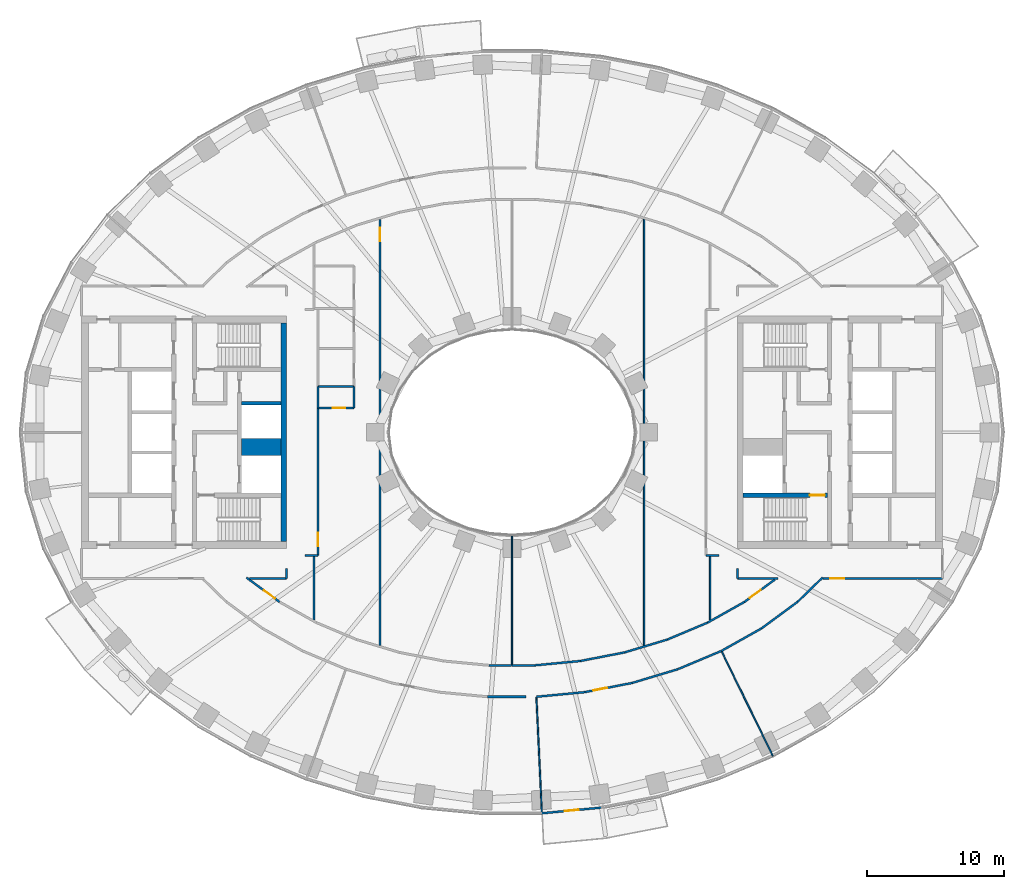
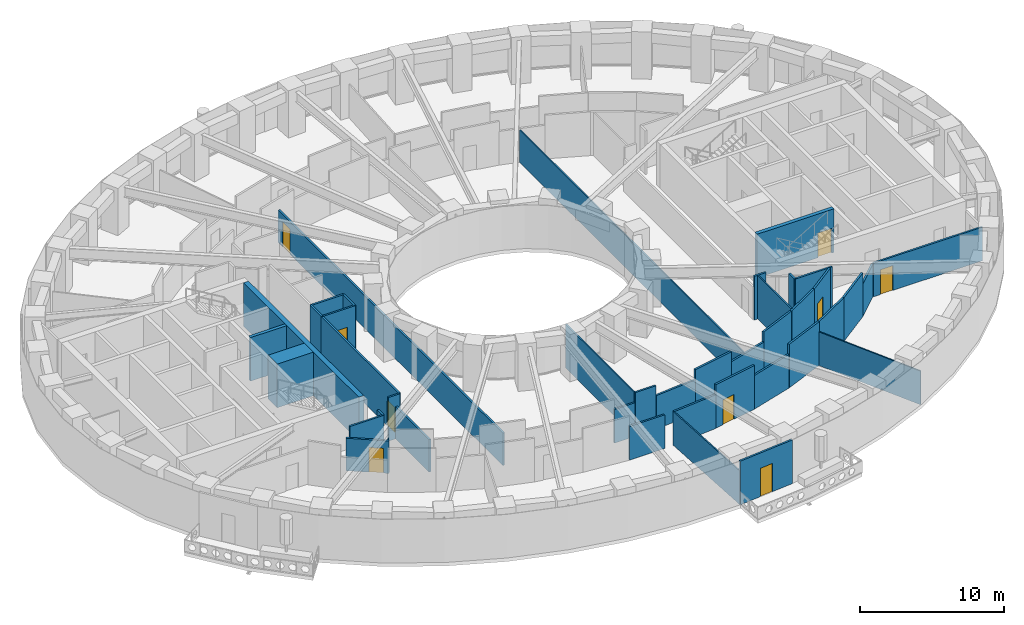
# One storey, part 4 of 16: 41 walls, 9 doors, 9 openings.
"""IFC4 building model written with IfcOpenShell, lengths in metres."""

from ifc_helpers import new_model, si_unit, direction, frame, frame_2d, origin, place, context, subcontext, project, spatial, rectangle, extrude, material, layer, layer_set, type_object, element, fill, save


model = new_model("IFC4")

# Units and contexts
model_context = context("Model", 3, precision=1e-05, world=origin(), true_north=direction((0.0, 1.0)))
body_context = subcontext(model_context, "Body", "Model", "MODEL_VIEW")
ifc_project = project(units=[si_unit("LENGTHUNIT", "METRE"), si_unit("AREAUNIT", "SQUARE_METRE"), si_unit("VOLUMEUNIT", "CUBIC_METRE"), si_unit("PLANEANGLEUNIT", "RADIAN"), si_unit("MASSUNIT", "GRAM", prefix="KILO")], contexts=[model_context])

# Site, building, storey
site_placement = place(None, origin())
site = spatial("IfcSite", under=ifc_project, at=site_placement, CompositionType="ELEMENT")
building_placement = place(site_placement, origin())
building = spatial("IfcBuilding", under=site, at=building_placement, Name="Noorbagh Ring Tower", CompositionType="ELEMENT")
storey_placement = place(building_placement, frame((0.0, 0.0, 78.5)))
storey = spatial("IfcBuildingStorey", under=building, at=storey_placement, Name="L17", CompositionType="ELEMENT", Elevation=78.5)

# Wall
ifc_material_1 = material(Name="Gypsum board on steel studs", Category="steel")
ifc_layer_1 = layer(ifc_material_1, 0.14990234375)
ifc_layer_set_1 = layer_set([ifc_layer_1], Name="Gypsum board on steel studs")
wall_type_1 = type_object("IfcWallType", Name="COMPARTMENT PARTITION 150 EI 60", PredefinedType="PARTITIONING", material=ifc_layer_set_1)
wall_1_placement = place(storey_placement, frame((-14.199951171875, 1.781982421875, 0.0), z_axis=(0.0, 0.0, 1.0), x_axis=(0.0, 1.0, 0.0)))
element("IfcWall", 1, at=wall_1_placement, inside=storey, type_object=wall_type_1, Name="L17/wall/P34", PredefinedType="PARTITIONING", context=body_context, shape_type="SweptSolid", body=[
    extrude(rectangle(XDim=1.56005859375, YDim=0.14990234375, at=frame_2d((0.780029296875, 0.0))), origin(), (0.0, 0.0, 1.0), 3.699951171875),
])

# Wall, opening, door
wall_2_placement = place(storey_placement, frame((-14.199951171875, 1.781982421875, 0.0), z_axis=(0.0, 0.0, 1.0), x_axis=(1.0, 0.0, 0.0)))
wall_2 = element("IfcWall", 2, at=wall_2_placement, inside=storey, type_object=wall_type_1, Name="L17/wall/P35", PredefinedType="PARTITIONING", context=body_context, shape_type="SweptSolid", body=[
    extrude(rectangle(XDim=2.635009765625, YDim=0.14990234375, at=frame_2d((1.3173828125, 0.0))), origin(), (0.0, 0.0, 1.0), 3.699951171875),
])
opening_1_placement = place(wall_2_placement, frame((1.0849609375, 0.0, 0.0)))
opening_1 = element("IfcOpeningElement", 3, at=opening_1_placement, cuts=wall_2, Name="Opening D4", PredefinedType="OPENING", context=body_context, shape_type="SweptSolid", body=[
    extrude(rectangle(XDim=0.89990234375, YDim=2.10009765625, at=frame_2d((0.449951171875, 1.050048828125))), frame((0.0, 0.0849609375, 0.0), z_axis=(0.0, -1.0, 0.0), x_axis=(1.0, 0.0, 0.0)), (0.0, 0.0, 1.0), 0.169921875),
])
ifc_material_2 = material(Name="Timber, painted", Category="wood")
door_type_1 = type_object("IfcDoorType", Name="DOOR 900 X 2100 FD60", OperationType="SINGLE_SWING_LEFT", PredefinedType="DOOR", material=ifc_material_2)
door_1_placement = place(opening_1_placement, origin())
door_1 = element("IfcDoor", 4, at=door_1_placement, inside=storey, type_object=door_type_1, Name="L17-D05", OperationType="SINGLE_SWING_LEFT", OverallHeight=2.10009765625, OverallWidth=0.89990234375, PredefinedType="DOOR", context=body_context, shape_type="SweptSolid", body=[
    extrude(rectangle(XDim=0.89990234375, YDim=2.10009765625, at=frame_2d((0.449951171875, 1.050048828125))), frame((0.0, 0.02490234375, 0.0), z_axis=(0.0, -1.0, 0.0), x_axis=(1.0, 0.0, 0.0)), (0.0, 0.0, 1.0), 0.050048828125),
])
fill(opening_1, door_1)

# Walls
wall_3_placement = place(storey_placement, frame((-14.199951171875, 3.342041015625, 0.0), z_axis=(0.0, 0.0, 1.0), x_axis=(1.0, 0.0, 0.0)))
element("IfcWall", 5, at=wall_3_placement, inside=storey, type_object=wall_type_1, Name="L17/wall/P37", PredefinedType="PARTITIONING", context=body_context, shape_type="SweptSolid", body=[
    extrude(rectangle(XDim=2.635009765625, YDim=0.14990234375, at=frame_2d((1.3173828125, 0.0))), origin(), (0.0, 0.0, 1.0), 3.699951171875),
])
wall_4_placement = place(storey_placement, frame((-11.56494140625, 1.781982421875, 0.0), z_axis=(0.0, 0.0, 1.0), x_axis=(0.0, 1.0, 0.0)))
element("IfcWall", 6, at=wall_4_placement, inside=storey, type_object=wall_type_1, Name="L17/wall/P41", PredefinedType="PARTITIONING", context=body_context, shape_type="SweptSolid", body=[
    extrude(rectangle(XDim=1.56005859375, YDim=0.14990234375, at=frame_2d((0.780029296875, 0.0))), origin(), (0.0, 0.0, 1.0), 3.699951171875),
])
ifc_material_3 = material(Name="Concrete C70/85", Category="concrete")
ifc_layer_2 = layer(ifc_material_3, 1.25)
ifc_layer_set_2 = layer_set([ifc_layer_2], Name="Concrete C70/85")
wall_type_2 = type_object("IfcWallType", Name="CORE-WALL-1250-C70-85-EI120", PredefinedType="SHEAR", material=ifc_layer_set_2)
wall_5_placement = place(storey_placement, frame((-16.89990234375, -1.074951171875, 0.0), z_axis=(0.0, 0.0, 1.0), x_axis=(-1.0, 0.0, 0.0)))
element("IfcWall", 7, at=wall_5_placement, inside=storey, type_object=wall_type_2, Name="Core wall W", PredefinedType="SHEAR", context=body_context, shape_type="SweptSolid", body=[
    extrude(rectangle(XDim=2.900146484375, YDim=1.25, at=frame_2d((1.4501953125, 0.0))), origin(), (0.0, 0.0, 1.0), 3.699951171875),
])
ifc_material_4 = material(Name="Concrete C70/85", Category="concrete")
ifc_layer_3 = layer(ifc_material_4, 0.25)
ifc_layer_set_3 = layer_set([ifc_layer_3], Name="Concrete C70/85")
wall_type_3 = type_object("IfcWallType", Name="CORE-WALL-250-C70-85-EI120", PredefinedType="SHEAR", material=ifc_layer_set_3)
wall_6_placement = place(storey_placement, frame((-16.89990234375, 2.125, 0.0), z_axis=(0.0, 0.0, 1.0), x_axis=(-1.0, 0.0, 0.0)))
element("IfcWall", 8, at=wall_6_placement, inside=storey, type_object=wall_type_3, Name="Core wall W", PredefinedType="SHEAR", context=body_context, shape_type="SweptSolid", body=[
    extrude(rectangle(XDim=2.900146484375, YDim=0.25, at=frame_2d((1.4501953125, 0.0))), origin(), (0.0, 0.0, 1.0), 3.699951171875),
])

# Wall, opening, door
ifc_material_5 = material(Name="Concrete C70/85", Category="concrete")
ifc_layer_4 = layer(ifc_material_5, 0.300048828125)
ifc_layer_set_4 = layer_set([ifc_layer_4], Name="Concrete C70/85")
wall_type_4 = type_object("IfcWallType", Name="CORE-WALL-300-C70-85-EI240", PredefinedType="SHEAR", material=ifc_layer_set_4)
wall_7_placement = place(storey_placement, frame((16.89990234375, -4.60009765625, 0.0), z_axis=(0.0, 0.0, 1.0), x_axis=(1.0, 0.0, 0.0)))
wall_7 = element("IfcWall", 9, at=wall_7_placement, inside=storey, type_object=wall_type_4, Name="Core wall E", PredefinedType="SHEAR", context=body_context, shape_type="SweptSolid", body=[
    extrude(rectangle(XDim=6.18017578125, YDim=0.300048828125, at=frame_2d((3.090087890625, 0.0))), origin(), (0.0, 0.0, 1.0), 3.699951171875),
])
opening_2_placement = place(wall_7_placement, frame((4.89990234375, 0.0, 0.0)))
opening_2 = element("IfcOpeningElement", 10, at=opening_2_placement, cuts=wall_7, Name="Opening L17-CE06", PredefinedType="OPENING", context=body_context, shape_type="SweptSolid", body=[
    extrude(rectangle(XDim=1.10009765625, YDim=2.10009765625, at=frame_2d((0.550048828125, 1.050048828125))), frame((0.0, 0.16015625, 0.0), z_axis=(0.0, -1.0, 0.0), x_axis=(1.0, 0.0, 0.0)), (0.0, 0.0, 1.0), 0.320068359375),
])
ifc_material_6 = material(Name="Steel door leaf", Category="steel")
door_type_2 = type_object("IfcDoorType", Name="CORE-DOOR-DSTAIR", OperationType="SINGLE_SWING_LEFT", PredefinedType="DOOR", material=ifc_material_6)
door_2_placement = place(opening_2_placement, origin())
door_2 = element("IfcDoor", 11, at=door_2_placement, inside=storey, type_object=door_type_2, Name="Stair door ST4 L17-CE06", OperationType="SINGLE_SWING_RIGHT", OverallHeight=2.10009765625, OverallWidth=1.10009765625, PredefinedType="DOOR", context=body_context, shape_type="SweptSolid", body=[
    extrude(rectangle(XDim=1.10009765625, YDim=2.10009765625, at=frame_2d((0.550048828125, 1.050048828125))), frame((0.0, 0.02490234375, 0.0), z_axis=(0.0, -1.0, 0.0), x_axis=(1.0, 0.0, 0.0)), (0.0, 0.0, 1.0), 0.050048828125),
])
fill(opening_2, door_2)

# Wall
ifc_material_7 = material(Name="Concrete C70/85", Category="concrete")
ifc_layer_5 = layer(ifc_material_7, 0.39990234375)
ifc_layer_set_5 = layer_set([ifc_layer_5], Name="Concrete C70/85")
wall_type_5 = type_object("IfcWallType", Name="CORE-WALL-400-C70-85-EI240", PredefinedType="SHEAR", material=ifc_layer_set_5)
wall_8_placement = place(storey_placement, frame((-16.699951171875, -8.0, 0.0), z_axis=(0.0, 0.0, 1.0), x_axis=(0.0, 1.0, 0.0)))
element("IfcWall", 12, at=wall_8_placement, inside=storey, type_object=wall_type_5, Name="Core wall W", PredefinedType="SHEAR", context=body_context, shape_type="SweptSolid", body=[
    extrude(rectangle(XDim=16.0, YDim=0.39990234375, at=frame_2d((8.0, 0.0))), origin(), (0.0, 0.0, 1.0), 3.699951171875),
])

# Wall, opening, door
ifc_material_8 = material(Name="Gypsum board on steel studs", Category="steel")
ifc_layer_6 = layer(ifc_material_8, 0.14990234375)
ifc_layer_set_6 = layer_set([ifc_layer_6], Name="Gypsum board on steel studs")
wall_type_6 = type_object("IfcWallType", Name="CORRIDOR PARTITION 150 EI 30", PredefinedType="PARTITIONING", material=ifc_layer_set_6)
wall_9_placement = place(storey_placement, frame((-19.431884765625, -10.625, 0.0), z_axis=(0.0, 0.0, 1.0), x_axis=(0.805306738654, -0.592858378265, 0.0)))
wall_9 = element("IfcWall", 13, at=wall_9_placement, inside=storey, type_object=wall_type_6, Name="L17/wall/P11", PredefinedType="PARTITIONING", context=body_context, shape_type="SweptSolid", body=[
    extrude(rectangle(XDim=3.00732421875, YDim=0.14990234375, at=frame_2d((1.503662109375, 0.0))), origin(), (0.0, 0.0, 1.0), 2.75),
])
opening_3_placement = place(wall_9_placement, frame((1.607421875, 0.0, 0.0)))
opening_3 = element("IfcOpeningElement", 14, at=opening_3_placement, cuts=wall_9, Name="Opening D1", PredefinedType="OPENING", context=body_context, shape_type="SweptSolid", body=[
    extrude(rectangle(XDim=1.0, YDim=2.10009765625, at=frame_2d((0.5, 1.050048828125))), frame((0.0, 0.0849609375, 0.0), z_axis=(0.0, -1.0, 0.0), x_axis=(1.0, 0.0, 0.0)), (0.0, 0.0, 1.0), 0.169921875),
])
ifc_material_9 = material(Name="Timber, painted", Category="wood")
door_type_3 = type_object("IfcDoorType", Name="DOOR 1000 X 2100 FD30", OperationType="SINGLE_SWING_LEFT", PredefinedType="DOOR", material=ifc_material_9)
door_3_placement = place(opening_3_placement, origin())
door_3 = element("IfcDoor", 15, at=door_3_placement, inside=storey, type_object=door_type_3, Name="L17-D16", OperationType="SINGLE_SWING_LEFT", OverallHeight=2.10009765625, OverallWidth=1.0, PredefinedType="DOOR", context=body_context, shape_type="SweptSolid", body=[
    extrude(rectangle(XDim=1.0, YDim=2.10009765625, at=frame_2d((0.5, 1.050048828125))), frame((0.0, 0.02490234375, 0.0), z_axis=(0.0, -1.0, 0.0), x_axis=(1.0, 0.0, 0.0)), (0.0, 0.0, 1.0), 0.050048828125),
])
fill(opening_3, door_3)

# Walls
wall_10_placement = place(storey_placement, frame((-19.202880859375, -10.699951171875, 0.0), z_axis=(0.0, 0.0, 1.0), x_axis=(1.0, 0.0, 0.0)))
element("IfcWall", 16, at=wall_10_placement, inside=storey, type_object=wall_type_6, Name="L17/wall/P12", PredefinedType="PARTITIONING", context=body_context, shape_type="SweptSolid", body=[
    extrude(rectangle(XDim=2.702880859375, YDim=0.14990234375, at=frame_2d((1.3515625, 0.0))), origin(), (0.0, 0.0, 1.0), 3.699951171875),
])
wall_11_placement = place(storey_placement, frame((-16.5, -10.699951171875, 0.0), z_axis=(0.0, 0.0, 1.0), x_axis=(0.0, 1.0, 0.0)))
element("IfcWall", 17, at=wall_11_placement, inside=storey, type_object=wall_type_6, Name="L17/wall/P19", PredefinedType="PARTITIONING", context=body_context, shape_type="SweptSolid", body=[
    extrude(rectangle(XDim=0.73583984375, YDim=0.14990234375, at=frame_2d((0.367919921875, 0.0))), origin(), (0.0, 0.0, 1.0), 3.699951171875),
])
wall_12_placement = place(storey_placement, frame((-15.134033203125, -9.0, 0.0), z_axis=(0.0, 0.0, 1.0), x_axis=(1.0, 0.0, 0.0)))
element("IfcWall", 18, at=wall_12_placement, inside=storey, type_object=wall_type_6, Name="L17/wall/P23", PredefinedType="PARTITIONING", context=body_context, shape_type="SweptSolid", body=[
    extrude(rectangle(XDim=0.93408203125, YDim=0.14990234375, at=frame_2d((0.467041015625, 0.0))), origin(), (0.0, 0.0, 1.0), 3.699951171875),
])
wall_13_placement = place(storey_placement, frame((-14.4970703125, -13.72900390625, 0.0), z_axis=(0.0, 0.0, 1.0), x_axis=(0.0, 1.0, 0.0)))
element("IfcWall", 19, at=wall_13_placement, inside=storey, type_object=wall_type_6, Name="L17/wall/P27", PredefinedType="PARTITIONING", context=body_context, shape_type="SweptSolid", body=[
    extrude(rectangle(XDim=4.654052734375, YDim=0.14990234375, at=frame_2d((2.3271484375, 0.0))), origin(), (0.0, 0.0, 1.0), 2.75),
])

# Wall, opening, door
wall_14_placement = place(storey_placement, frame((-14.199951171875, -9.0, 0.0), z_axis=(0.0, 0.0, 1.0), x_axis=(0.0, 1.0, 0.0)))
wall_14 = element("IfcWall", 20, at=wall_14_placement, inside=storey, type_object=wall_type_6, Name="L17/wall/P33", PredefinedType="PARTITIONING", context=body_context, shape_type="SweptSolid", body=[
    extrude(rectangle(XDim=10.781982421875, YDim=0.14990234375, at=frame_2d((5.39111328125, 0.0))), origin(), (0.0, 0.0, 1.0), 3.699951171875),
])
opening_4_placement = place(wall_14_placement, frame((0.64990234375, 0.0, 0.0)))
opening_4 = element("IfcOpeningElement", 21, at=opening_4_placement, cuts=wall_14, Name="Opening D1", PredefinedType="OPENING", context=body_context, shape_type="SweptSolid", body=[
    extrude(rectangle(XDim=1.0, YDim=2.10009765625, at=frame_2d((0.5, 1.050048828125))), frame((0.0, 0.0849609375, 0.0), z_axis=(0.0, -1.0, 0.0), x_axis=(1.0, 0.0, 0.0)), (0.0, 0.0, 1.0), 0.169921875),
])
door_4_placement = place(opening_4_placement, origin())
door_4 = element("IfcDoor", 22, at=door_4_placement, inside=storey, type_object=door_type_3, Name="L17-D01", OperationType="SINGLE_SWING_LEFT", OverallHeight=2.10009765625, OverallWidth=1.0, PredefinedType="DOOR", context=body_context, shape_type="SweptSolid", body=[
    extrude(rectangle(XDim=1.0, YDim=2.10009765625, at=frame_2d((0.5, 1.050048828125))), frame((0.0, 0.02490234375, 0.0), z_axis=(0.0, -1.0, 0.0), x_axis=(1.0, 0.0, 0.0)), (0.0, 0.0, 1.0), 0.050048828125),
])
fill(opening_4, door_4)

wall_15_placement = place(storey_placement, frame((-9.6650390625, -15.591064453125, 0.0), z_axis=(0.0, 0.0, 1.0), x_axis=(0.0, 1.0, 0.0)))
wall_15 = element("IfcWall", 23, at=wall_15_placement, inside=storey, type_object=wall_type_6, Name="L17/wall/P45", PredefinedType="PARTITIONING", context=body_context, shape_type="SweptSolid", body=[
    extrude(rectangle(XDim=31.18212890625, YDim=0.14990234375, at=frame_2d((15.591064453125, 0.0))), origin(), (0.0, 0.0, 1.0), 2.75),
])
opening_5_placement = place(wall_15_placement, frame((29.572021484375, 0.0, 0.0)))
opening_5 = element("IfcOpeningElement", 24, at=opening_5_placement, cuts=wall_15, Name="Opening D1", PredefinedType="OPENING", context=body_context, shape_type="SweptSolid", body=[
    extrude(rectangle(XDim=1.0, YDim=2.10009765625, at=frame_2d((0.5, 1.050048828125))), frame((0.0, 0.0849609375, 0.0), z_axis=(0.0, -1.0, 0.0), x_axis=(1.0, 0.0, 0.0)), (0.0, 0.0, 1.0), 0.169921875),
])
door_5_placement = place(opening_5_placement, origin())
door_5 = element("IfcDoor", 25, at=door_5_placement, inside=storey, type_object=door_type_3, Name="L17-D18", OperationType="SINGLE_SWING_RIGHT", OverallHeight=2.10009765625, OverallWidth=1.0, PredefinedType="DOOR", context=body_context, shape_type="SweptSolid", body=[
    extrude(rectangle(XDim=1.0, YDim=2.10009765625, at=frame_2d((0.5, 1.050048828125))), frame((0.0, 0.02490234375, 0.0), z_axis=(0.0, -1.0, 0.0), x_axis=(1.0, 0.0, 0.0)), (0.0, 0.0, 1.0), 0.050048828125),
])
fill(opening_5, door_5)

# Walls
wall_16_placement = place(storey_placement, frame((-1.783935546875, -19.347900390625, 0.0), z_axis=(0.0, 0.0, 1.0), x_axis=(1.0, 0.0, 0.0)))
element("IfcWall", 26, at=wall_16_placement, inside=storey, type_object=wall_type_6, Name="L17/wall/P54", PredefinedType="PARTITIONING", context=body_context, shape_type="SweptSolid", body=[
    extrude(rectangle(XDim=2.821044921875, YDim=0.14990234375, at=frame_2d((1.41064453125, 0.0))), origin(), (0.0, 0.0, 1.0), 2.85009765625),
])
wall_17_placement = place(storey_placement, frame((-1.674072265625, -17.048095703125, 0.0), z_axis=(0.0, 0.0, 1.0), x_axis=(1.0, 0.0, 0.0)))
element("IfcWall", 27, at=wall_17_placement, inside=storey, type_object=wall_type_6, Name="L17/wall/P56", PredefinedType="PARTITIONING", context=body_context, shape_type="SweptSolid", body=[
    extrude(rectangle(XDim=1.654052734375, YDim=0.14990234375, at=frame_2d((0.8271484375, 0.0))), origin(), (0.0, 0.0, 1.0), 2.85009765625),
])
wall_18_placement = place(storey_placement, frame((0.0, -17.048095703125, 0.0), z_axis=(0.0, 0.0, 1.0), x_axis=(1.0, 0.0, 0.0)))
element("IfcWall", 28, at=wall_18_placement, inside=storey, type_object=wall_type_6, Name="L17/wall/P58", PredefinedType="PARTITIONING", context=body_context, shape_type="SweptSolid", body=[
    extrude(rectangle(XDim=1.674072265625, YDim=0.14990234375, at=frame_2d((0.8369140625, 0.0))), origin(), (0.0, 0.0, 1.0), 3.699951171875),
])
wall_19_placement = place(storey_placement, frame((1.674072265625, -17.048095703125, 0.0), z_axis=(0.0, 0.0, 1.0), x_axis=(0.995479356205, 0.094978162593, 0.0)))
element("IfcWall", 29, at=wall_19_placement, inside=storey, type_object=wall_type_6, Name="L17/wall/P62", PredefinedType="PARTITIONING", context=body_context, shape_type="SweptSolid", body=[
    extrude(rectangle(XDim=3.339111328125, YDim=0.14990234375, at=frame_2d((1.66943359375, 0.0))), origin(), (0.0, 0.0, 1.0), 2.85009765625),
])
wall_20_placement = place(storey_placement, frame((1.803955078125, -19.345947265625, 0.0), z_axis=(0.0, 0.0, 1.0), x_axis=(0.99548678928, 0.094900223226, 0.0)))
element("IfcWall", 30, at=wall_20_placement, inside=storey, type_object=wall_type_6, Name="L17/wall/P66", PredefinedType="PARTITIONING", context=body_context, shape_type="SweptSolid", body=[
    extrude(rectangle(XDim=3.539794921875, YDim=0.14990234375, at=frame_2d((1.77001953125, 0.0))), origin(), (0.0, 0.0, 1.0), 2.85009765625),
])
wall_21_placement = place(storey_placement, frame((4.998046875, -16.73095703125, 0.0), z_axis=(0.0, 0.0, 1.0), x_axis=(0.981621529558, 0.190838079815, 0.0)))
element("IfcWall", 31, at=wall_21_placement, inside=storey, type_object=wall_type_6, Name="L17/wall/P68", PredefinedType="PARTITIONING", context=body_context, shape_type="SweptSolid", body=[
    extrude(rectangle(XDim=3.310791015625, YDim=0.14990234375, at=frame_2d((1.6552734375, 0.0))), origin(), (0.0, 0.0, 1.0), 3.699951171875),
])

# Wall, opening, door
wall_22_placement = place(storey_placement, frame((5.327880859375, -19.010009765625, 0.0), z_axis=(0.0, 0.0, 1.0), x_axis=(0.981620418387, 0.190843795306, 0.0)))
wall_22 = element("IfcWall", 32, at=wall_22_placement, inside=storey, type_object=wall_type_6, Name="L17/wall/P70", PredefinedType="PARTITIONING", context=body_context, shape_type="SweptSolid", body=[
    extrude(rectangle(XDim=3.537109375, YDim=0.14990234375, at=frame_2d((1.7685546875, 0.0))), origin(), (0.0, 0.0, 1.0), 3.699951171875),
])
opening_6_placement = place(wall_22_placement, frame((0.64990234375, 0.0, 0.0)))
opening_6 = element("IfcOpeningElement", 33, at=opening_6_placement, cuts=wall_22, Name="Opening D1", PredefinedType="OPENING", context=body_context, shape_type="SweptSolid", body=[
    extrude(rectangle(XDim=1.0, YDim=2.10009765625, at=frame_2d((0.5, 1.050048828125))), frame((0.0, 0.0849609375, 0.0), z_axis=(0.0, -1.0, 0.0), x_axis=(1.0, 0.0, 0.0)), (0.0, 0.0, 1.0), 0.169921875),
])
door_6_placement = place(opening_6_placement, origin())
door_6 = element("IfcDoor", 34, at=door_6_placement, inside=storey, type_object=door_type_3, Name="L17-D11", OperationType="SINGLE_SWING_LEFT", OverallHeight=2.10009765625, OverallWidth=1.0, PredefinedType="DOOR", context=body_context, shape_type="SweptSolid", body=[
    extrude(rectangle(XDim=1.0, YDim=2.10009765625, at=frame_2d((0.5, 1.050048828125))), frame((0.0, 0.02490234375, 0.0), z_axis=(0.0, -1.0, 0.0), x_axis=(1.0, 0.0, 0.0)), (0.0, 0.0, 1.0), 0.050048828125),
])
fill(opening_6, door_6)

# Walls
wall_23_placement = place(storey_placement, frame((8.248046875, -16.09912109375, 0.0), z_axis=(0.0, 0.0, 1.0), x_axis=(0.95757464185, 0.28818536619, 0.0)))
element("IfcWall", 35, at=wall_23_placement, inside=storey, type_object=wall_type_6, Name="L17/wall/P72", PredefinedType="PARTITIONING", context=body_context, shape_type="SweptSolid", body=[
    extrude(rectangle(XDim=3.262451171875, YDim=0.14990234375, at=frame_2d((1.63134765625, 0.0))), origin(), (0.0, 0.0, 1.0), 2.85009765625),
])
wall_24_placement = place(storey_placement, frame((8.800048828125, -18.3349609375, 0.0), z_axis=(0.0, 0.0, 1.0), x_axis=(0.957528149021, 0.288339806186, 0.0)))
element("IfcWall", 36, at=wall_24_placement, inside=storey, type_object=wall_type_6, Name="L17/wall/P74", PredefinedType="PARTITIONING", context=body_context, shape_type="SweptSolid", body=[
    extrude(rectangle(XDim=3.49951171875, YDim=0.14990234375, at=frame_2d((1.749755859375, 0.0))), origin(), (0.0, 0.0, 1.0), 2.85009765625),
])
wall_25_placement = place(storey_placement, frame((11.3720703125, -15.158935546875, 0.0), z_axis=(0.0, 0.0, 1.0), x_axis=(0.921799502591, 0.387666966638, 0.0)))
element("IfcWall", 37, at=wall_25_placement, inside=storey, type_object=wall_type_6, Name="L17/wall/P77", PredefinedType="PARTITIONING", context=body_context, shape_type="SweptSolid", body=[
    extrude(rectangle(XDim=3.1904296875, YDim=0.14990234375, at=frame_2d((1.59521484375, 0.0))), origin(), (0.0, 0.0, 1.0), 3.699951171875),
])
wall_26_placement = place(storey_placement, frame((12.15087890625, -17.325927734375, 0.0), z_axis=(0.0, 0.0, 1.0), x_axis=(0.921891448612, 0.387448263612, 0.0)))
element("IfcWall", 38, at=wall_26_placement, inside=storey, type_object=wall_type_6, Name="L17/wall/P79", PredefinedType="PARTITIONING", context=body_context, shape_type="SweptSolid", body=[
    extrude(rectangle(XDim=3.443115234375, YDim=0.14990234375, at=frame_2d((1.7216796875, 0.0))), origin(), (0.0, 0.0, 1.0), 3.699951171875),
])
wall_27_placement = place(storey_placement, frame((14.199951171875, -9.0, 0.0), z_axis=(0.0, 0.0, 1.0), x_axis=(1.0, 0.0, 0.0)))
element("IfcWall", 39, at=wall_27_placement, inside=storey, type_object=wall_type_6, Name="L17/wall/P82", PredefinedType="PARTITIONING", context=body_context, shape_type="SweptSolid", body=[
    extrude(rectangle(XDim=0.93408203125, YDim=0.14990234375, at=frame_2d((0.467041015625, 0.0))), origin(), (0.0, 0.0, 1.0), 3.699951171875),
])
wall_28_placement = place(storey_placement, frame((14.31298828125, -13.922119140625, 0.0), z_axis=(0.0, 0.0, 1.0), x_axis=(0.871977874087, 0.489545286059, 0.0)))
element("IfcWall", 40, at=wall_28_placement, inside=storey, type_object=wall_type_6, Name="L17/wall/P84", PredefinedType="PARTITIONING", context=body_context, shape_type="SweptSolid", body=[
    extrude(rectangle(XDim=3.093017578125, YDim=0.14990234375, at=frame_2d((1.54638671875, 0.0))), origin(), (0.0, 0.0, 1.0), 3.699951171875),
])
wall_29_placement = place(storey_placement, frame((15.342041015625, -15.98193359375, 0.0), z_axis=(0.0, 0.0, 1.0), x_axis=(0.872011649609, 0.48948512025, 0.0)))
element("IfcWall", 41, at=wall_29_placement, inside=storey, type_object=wall_type_6, Name="L17/wall/P90", PredefinedType="PARTITIONING", context=body_context, shape_type="SweptSolid", body=[
    extrude(rectangle(XDim=3.34619140625, YDim=0.14990234375, at=frame_2d((1.673095703125, 0.0))), origin(), (0.0, 0.0, 1.0), 3.699951171875),
])
wall_30_placement = place(storey_placement, frame((16.5, -10.699951171875, 0.0), z_axis=(0.0, 0.0, 1.0), x_axis=(0.0, 1.0, 0.0)))
element("IfcWall", 42, at=wall_30_placement, inside=storey, type_object=wall_type_6, Name="L17/wall/P92", PredefinedType="PARTITIONING", context=body_context, shape_type="SweptSolid", body=[
    extrude(rectangle(XDim=0.73583984375, YDim=0.14990234375, at=frame_2d((0.367919921875, 0.0))), origin(), (0.0, 0.0, 1.0), 3.699951171875),
])
wall_31_placement = place(storey_placement, frame((16.5, -10.699951171875, 0.0), z_axis=(0.0, 0.0, 1.0), x_axis=(1.0, 0.0, 0.0)))
element("IfcWall", 43, at=wall_31_placement, inside=storey, type_object=wall_type_6, Name="L17/wall/P93", PredefinedType="PARTITIONING", context=body_context, shape_type="SweptSolid", body=[
    extrude(rectangle(XDim=2.95703125, YDim=0.14990234375, at=frame_2d((1.478515625, 0.0))), origin(), (0.0, 0.0, 1.0), 3.699951171875),
])

# Wall, opening, door
wall_32_placement = place(storey_placement, frame((17.010009765625, -12.407958984375, 0.0), z_axis=(0.0, 0.0, 1.0), x_axis=(0.805276342361, 0.592899664728, 0.0)))
wall_32 = element("IfcWall", 44, at=wall_32_placement, inside=storey, type_object=wall_type_6, Name="L17/wall/P96", PredefinedType="PARTITIONING", context=body_context, shape_type="SweptSolid", body=[
    extrude(rectangle(XDim=2.75439453125, YDim=0.14990234375, at=frame_2d((1.377197265625, 0.0))), origin(), (0.0, 0.0, 1.0), 3.699951171875),
])
opening_7_placement = place(wall_32_placement, frame((0.48095703125, 0.0, 0.0)))
opening_7 = element("IfcOpeningElement", 45, at=opening_7_placement, cuts=wall_32, Name="Opening D1", PredefinedType="OPENING", context=body_context, shape_type="SweptSolid", body=[
    extrude(rectangle(XDim=1.0, YDim=2.10009765625, at=frame_2d((0.5, 1.050048828125))), frame((0.0, 0.0849609375, 0.0), z_axis=(0.0, -1.0, 0.0), x_axis=(1.0, 0.0, 0.0)), (0.0, 0.0, 1.0), 0.169921875),
])
door_7_placement = place(opening_7_placement, origin())
door_7 = element("IfcDoor", 46, at=door_7_placement, inside=storey, type_object=door_type_3, Name="L17-D21", OperationType="SINGLE_SWING_RIGHT", OverallHeight=2.10009765625, OverallWidth=1.0, PredefinedType="DOOR", context=body_context, shape_type="SweptSolid", body=[
    extrude(rectangle(XDim=1.0, YDim=2.10009765625, at=frame_2d((0.5, 1.050048828125))), frame((0.0, 0.02490234375, 0.0), z_axis=(0.0, -1.0, 0.0), x_axis=(1.0, 0.0, 0.0)), (0.0, 0.0, 1.0), 0.050048828125),
])
fill(opening_7, door_7)

# Walls
wall_33_placement = place(storey_placement, frame((18.260009765625, -14.343994140625, 0.0), z_axis=(0.0, 0.0, 1.0), x_axis=(0.805303685339, 0.592862525701, 0.0)))
element("IfcWall", 47, at=wall_33_placement, inside=storey, type_object=wall_type_6, Name="L17/wall/P98", PredefinedType="PARTITIONING", context=body_context, shape_type="SweptSolid", body=[
    extrude(rectangle(XDim=3.267333984375, YDim=0.14990234375, at=frame_2d((1.6337890625, 0.0))), origin(), (0.0, 0.0, 1.0), 3.699951171875),
])
wall_34_placement = place(storey_placement, frame((20.89111328125, -12.406982421875, 0.0), z_axis=(0.0, 0.0, 1.0), x_axis=(0.71701613235, 0.697056572991, 0.0)))
element("IfcWall", 48, at=wall_34_placement, inside=storey, type_object=wall_type_6, Name="L17/wall/P100", PredefinedType="PARTITIONING", context=body_context, shape_type="SweptSolid", body=[
    extrude(rectangle(XDim=2.556396484375, YDim=0.14990234375, at=frame_2d((1.2783203125, 0.0))), origin(), (0.0, 0.0, 1.0), 2.75),
])

# Wall, opening, door
wall_35_placement = place(storey_placement, frame((22.7548828125, -10.699951171875, 0.0), z_axis=(0.0, 0.0, 1.0), x_axis=(1.0, 0.0, 0.0)))
wall_35 = element("IfcWall", 49, at=wall_35_placement, inside=storey, type_object=wall_type_6, Name="L17/wall/P102", PredefinedType="PARTITIONING", context=body_context, shape_type="SweptSolid", body=[
    extrude(rectangle(XDim=8.7451171875, YDim=0.14990234375, at=frame_2d((4.37255859375, 0.0))), origin(), (0.0, 0.0, 1.0), 2.85009765625),
])
opening_8_placement = place(wall_35_placement, frame((0.5419921875, 0.0, 0.0)))
opening_8 = element("IfcOpeningElement", 50, at=opening_8_placement, cuts=wall_35, Name="Opening D1", PredefinedType="OPENING", context=body_context, shape_type="SweptSolid", body=[
    extrude(rectangle(XDim=1.0, YDim=2.10009765625, at=frame_2d((0.5, 1.050048828125))), frame((0.0, 0.0849609375, 0.0), z_axis=(0.0, -1.0, 0.0), x_axis=(1.0, 0.0, 0.0)), (0.0, 0.0, 1.0), 0.169921875),
])
door_8_placement = place(opening_8_placement, origin())
door_8 = element("IfcDoor", 51, at=door_8_placement, inside=storey, type_object=door_type_3, Name="L17-D13", OperationType="SINGLE_SWING_LEFT", OverallHeight=2.10009765625, OverallWidth=1.0, PredefinedType="DOOR", context=body_context, shape_type="SweptSolid", body=[
    extrude(rectangle(XDim=1.0, YDim=2.10009765625, at=frame_2d((0.5, 1.050048828125))), frame((0.0, 0.02490234375, 0.0), z_axis=(0.0, -1.0, 0.0), x_axis=(1.0, 0.0, 0.0)), (0.0, 0.0, 1.0), 0.050048828125),
])
fill(opening_8, door_8)

ifc_material_10 = material(Name="Insulated aluminium clad panel", Category="aluminium")
ifc_layer_7 = layer(ifc_material_10, 0.14990234375)
ifc_layer_set_7 = layer_set([ifc_layer_7], Name="Insulated aluminium clad panel")
wall_type_7 = type_object("IfcWallType", Name="ENV-WALL-DOOR", PredefinedType="STANDARD", material=ifc_layer_set_7)
wall_36_placement = place(storey_placement, frame((2.166259765625, -27.875244140625, 0.0), z_axis=(0.0, 0.0, 1.0), x_axis=(0.995473879823, 0.095035543824, 0.0)))
wall_36 = element("IfcWall", 52, at=wall_36_placement, inside=storey, type_object=wall_type_7, Name="Balcony door wall chord 36", PredefinedType="STANDARD", context=body_context, shape_type="SweptSolid", body=[
    extrude(rectangle(XDim=4.42626953125, YDim=0.14990234375, at=frame_2d((2.213134765625, 0.0))), origin(), (0.0, 0.0, 1.0), 3.699951171875),
])
opening_9_placement = place(wall_36_placement, frame((1.713134765625, 0.0, 0.0)))
opening_9 = element("IfcOpeningElement", 53, at=opening_9_placement, cuts=wall_36, Name="Opening D-BL", PredefinedType="OPENING", context=body_context, shape_type="SweptSolid", body=[
    extrude(rectangle(XDim=1.0, YDim=2.39990234375, at=frame_2d((0.5, 1.199951171875))), frame((0.0, 0.0849609375, 0.0), z_axis=(0.0, -1.0, 0.0), x_axis=(1.0, 0.0, 0.0)), (0.0, 0.0, 1.0), 0.169921875),
])
ifc_material_11 = material(Name="Aluminium and glass", Category="aluminium")
door_type_4 = type_object("IfcDoorType", Name="ENV-DOOR-BALCONY", OperationType="SINGLE_SWING_LEFT", PredefinedType="DOOR", material=ifc_material_11)
door_9_placement = place(opening_9_placement, origin())
door_9 = element("IfcDoor", 54, at=door_9_placement, inside=storey, type_object=door_type_4, Name="Balcony door chord 36", OperationType="SINGLE_SWING_RIGHT", OverallHeight=2.39990234375, OverallWidth=1.0, PredefinedType="DOOR", context=body_context, shape_type="SweptSolid", body=[
    extrude(rectangle(XDim=1.0, YDim=2.39990234375, at=frame_2d((0.5, 1.199951171875))), frame((0.0, 0.02490234375, 0.0), z_axis=(0.0, -1.0, 0.0), x_axis=(1.0, 0.0, 0.0)), (0.0, 0.0, 1.0), 0.050048828125),
])
fill(opening_9, door_9)

# Walls
ifc_material_12 = material(Name="Gypsum board on steel studs", Category="steel")
ifc_layer_8 = layer(ifc_material_12, 0.10009765625)
ifc_layer_set_8 = layer_set([ifc_layer_8], Name="Gypsum board on steel studs")
wall_type_8 = type_object("IfcWallType", Name="PARTITION 100 GYPSUM", PredefinedType="PARTITIONING", material=ifc_layer_set_8)
wall_37_placement = place(storey_placement, frame((0.0, -17.0439453125, 0.0), z_axis=(0.0, 0.0, 1.0), x_axis=(0.0, 1.0, 0.0)))
element("IfcWall", 55, at=wall_37_placement, inside=storey, type_object=wall_type_8, Name="L17/wall/P59", PredefinedType="PARTITIONING", context=body_context, shape_type="SweptSolid", body=[
    extrude(rectangle(XDim=9.5400390625, YDim=0.10009765625, at=frame_2d((4.77001953125, 0.0))), origin(), (0.0, 0.0, 1.0), 3.699951171875),
])
wall_38_placement = place(storey_placement, frame((1.784912109375, -19.365966796875, 0.0), z_axis=(0.0, 0.0, 1.0), x_axis=(0.047190335266, -0.998885915537, 0.0)))
element("IfcWall", 56, at=wall_38_placement, inside=storey, type_object=wall_type_8, Name="L17/wall/P64", PredefinedType="PARTITIONING", context=body_context, shape_type="SweptSolid", body=[
    extrude(rectangle(XDim=8.54150390625, YDim=0.10009765625, at=frame_2d((4.270751953125, 0.0))), origin(), (0.0, 0.0, 1.0), 2.85009765625),
])
wall_39_placement = place(storey_placement, frame((9.6650390625, -15.591064453125, 0.0), z_axis=(0.0, 0.0, 1.0), x_axis=(0.0, 1.0, 0.0)))
element("IfcWall", 57, at=wall_39_placement, inside=storey, type_object=wall_type_8, Name="L17/wall/P76", PredefinedType="PARTITIONING", context=body_context, shape_type="SweptSolid", body=[
    extrude(rectangle(XDim=31.18212890625, YDim=0.10009765625, at=frame_2d((15.591064453125, 0.0))), origin(), (0.0, 0.0, 1.0), 2.75),
])
wall_40_placement = place(storey_placement, frame((14.4970703125, -13.72900390625, 0.0), z_axis=(0.0, 0.0, 1.0), x_axis=(0.0, 1.0, 0.0)))
element("IfcWall", 58, at=wall_40_placement, inside=storey, type_object=wall_type_8, Name="L17/wall/P86", PredefinedType="PARTITIONING", context=body_context, shape_type="SweptSolid", body=[
    extrude(rectangle(XDim=4.654052734375, YDim=0.10009765625, at=frame_2d((2.3271484375, 0.0))), origin(), (0.0, 0.0, 1.0), 3.699951171875),
])
wall_41_placement = place(storey_placement, frame((15.325927734375, -15.9951171875, 0.0), z_axis=(0.0, 0.0, 1.0), x_axis=(0.439255658574, -0.898362102056, 0.0)))
element("IfcWall", 59, at=wall_41_placement, inside=storey, type_object=wall_type_8, Name="L17/wall/P88", PredefinedType="PARTITIONING", context=body_context, shape_type="SweptSolid", body=[
    extrude(rectangle(XDim=8.56005859375, YDim=0.10009765625, at=frame_2d((4.280029296875, 0.0))), origin(), (0.0, 0.0, 1.0), 2.85009765625),
])

save(model, "model.ifc")
